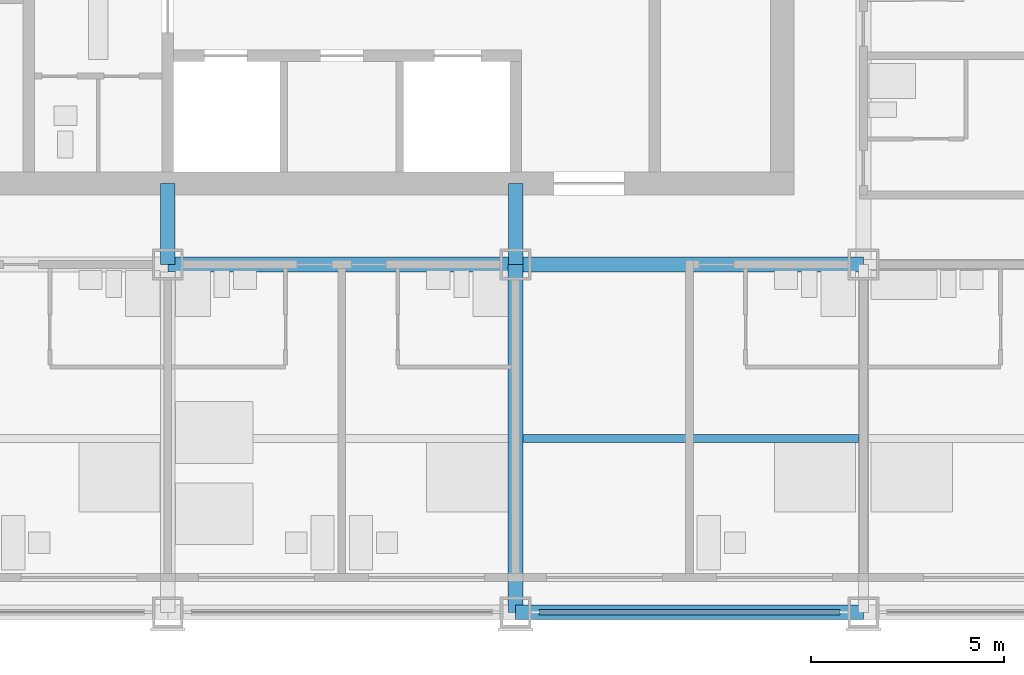
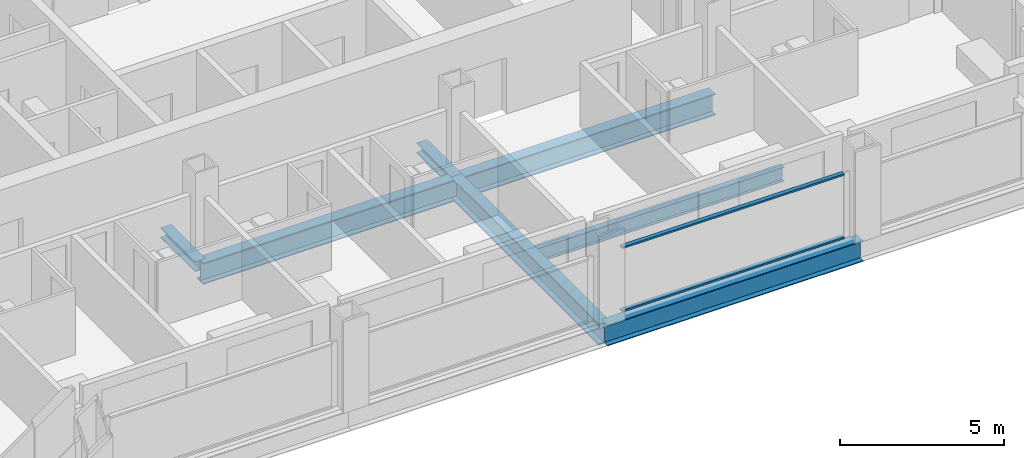
# One storey, part 3 of 14: 5 beams, 4 members, 1 element without a shape of its own.
"""IFC4 building model written with IfcOpenShell, lengths in metres."""

import ifcopenshell
import ifcopenshell.guid

model = None  # the IFC model being written
_history = None  # IfcOwnerHistory: only IFC2X3 demands one
_inside = {}  # id of a spatial element -> (the spatial element, [elements in it])
_under = {}  # id of a project, library or spatial element -> (it, [spatial elements below it])
_declared = {}  # id of a project -> (the project, [libraries it declares])
_typed = {}  # id of a type object -> (the type object, [elements of that type])
_made_of = {}  # id of a material, layer set ... -> (it, [elements and type objects made of it])


def new_model(schema):
    """Start an empty IFC model of exactly this schema.

    Asked for "IFC4X3", IfcOpenShell would pick the latest addendum, in which some entities
    have other attributes; the version numbers below select the first issue.
    IFC2X3 requires an IfcOwnerHistory on every rooted entity: one is made here for all.
    """
    global model, _history
    if schema == "IFC4X3":
        model = ifcopenshell.file(schema_version=(4, 3, 0, 0))
    else:
        model = ifcopenshell.file(schema=schema)
    _inside.clear()
    _under.clear()
    _declared.clear()
    _typed.clear()
    _made_of.clear()
    _history = None
    if model.schema == "IFC2X3":
        org = make("IfcOrganization", Name="unknown")
        user = make(
            "IfcPersonAndOrganization",
            ThePerson=make("IfcPerson", FamilyName="unknown"),
            TheOrganization=org,
        )
        app = make(
            "IfcApplication",
            ApplicationDeveloper=org,
            Version="unknown",
            ApplicationFullName="unknown",
            ApplicationIdentifier="unknown",
        )
        _history = make(
            "IfcOwnerHistory",
            OwningUser=user,
            OwningApplication=app,
            ChangeAction="ADDED",
            CreationDate=0,
        )
    return model


def make(cls, **values):
    """One entity of the class cls with the attributes given. An attribute that is None is left unset."""
    return model.create_entity(
        cls, **{name: value for name, value in values.items() if value is not None}
    )


def rooted(cls, **values):
    """An entity with a GlobalId (a new one), such as an element, a storey or a relation."""
    return make(cls, GlobalId=ifcopenshell.guid.new(), OwnerHistory=_history, **values)


def si_unit(unit_type, name, prefix=None):
    """IfcSIUnit, for example si_unit("LENGTHUNIT", "METRE", prefix="MILLI")."""
    return make("IfcSIUnit", UnitType=unit_type, Prefix=prefix, Name=name)


def assignment(units):
    """IfcUnitAssignment: the units of a project."""
    return None if units is None else make("IfcUnitAssignment", Units=units)


def point(xyz):
    """IfcCartesianPoint."""
    return None if xyz is None else make("IfcCartesianPoint", Coordinates=xyz)


def direction(xyz):
    """IfcDirection."""
    return None if xyz is None else make("IfcDirection", DirectionRatios=xyz)


def frame(location, z_axis=None, x_axis=None):
    """IfcAxis2Placement3D, a coordinate frame: its origin and axes. An axis left out is left unset."""
    return make(
        "IfcAxis2Placement3D",
        Location=point(location),
        Axis=direction(z_axis),
        RefDirection=direction(x_axis),
    )


def frame_2d(location, x_axis=None):
    """IfcAxis2Placement2D, a coordinate frame in the plane: its origin and x axis."""
    return make(
        "IfcAxis2Placement2D", Location=point(location), RefDirection=direction(x_axis)
    )


def origin():
    """The frame at (0, 0, 0) with its axes left unset."""
    return frame((0.0, 0.0, 0.0))


def origin_2d():
    """The frame at (0, 0) in the plane with its x axis left unset."""
    return frame_2d((0.0, 0.0))


def place(relative_to, where):
    """IfcLocalPlacement: puts the frame where relative to a parent placement (None: the world)."""
    return make(
        "IfcLocalPlacement", PlacementRelTo=relative_to, RelativePlacement=where
    )


def context(
    kind, dimensions, precision=None, world=None, true_north=None, identifier=None
):
    """IfcGeometricRepresentationContext, for example the 3D "Model" context."""
    return make(
        "IfcGeometricRepresentationContext",
        ContextIdentifier=identifier,
        ContextType=kind,
        CoordinateSpaceDimension=dimensions,
        Precision=precision,
        WorldCoordinateSystem=world,
        TrueNorth=true_north,
    )


def subcontext(parent, identifier, kind, view, scale=None):
    """IfcGeometricRepresentationSubContext, for example "Body" below "Model"."""
    return make(
        "IfcGeometricRepresentationSubContext",
        ContextIdentifier=identifier,
        ContextType=kind,
        ParentContext=parent,
        TargetScale=scale,
        TargetView=view,
    )


def project(units=None, contexts=None):
    """IfcProject with its units and contexts."""
    return rooted(
        "IfcProject",
        Name="project",
        RepresentationContexts=contexts,
        UnitsInContext=assignment(units),
    )


def spatial(cls, under=None, at=None, **own):
    """A site, building, storey or space (cls), placed at a placement, below another one or the project."""
    s = rooted(cls, ObjectPlacement=at, **own)
    if under is not None:
        _under.setdefault(under.id(), (under, []))[1].append(s)
    return s


def profile(cls, at=None, kind="AREA", **sizes):
    """A parametric profile (cls). Its sizes go by their IFC names, for example OverallWidth=200.0."""
    return make(cls, ProfileType=kind, Position=at, **sizes)


def rectangle(**sizes):
    """IfcRectangleProfileDef."""
    return profile("IfcRectangleProfileDef", **sizes)


def i_section(**sizes):
    """IfcIShapeProfileDef."""
    return profile("IfcIShapeProfileDef", **sizes)


def extrude(swept, where, along, depth):
    """IfcExtrudedAreaSolid: the profile swept, set in the frame where, extruded along a direction by depth."""
    return make(
        "IfcExtrudedAreaSolid",
        SweptArea=swept,
        Position=where,
        ExtrudedDirection=direction(along),
        Depth=depth,
    )


def shape(context_of_items, identifier, shape_type, items):
    """IfcShapeRepresentation: the items that make up one representation, for example the "Body"."""
    return make(
        "IfcShapeRepresentation",
        ContextOfItems=context_of_items,
        RepresentationIdentifier=identifier,
        RepresentationType=shape_type,
        Items=items,
    )


def material(Name=None, Category=None):
    """IfcMaterial."""
    return make("IfcMaterial", Name=Name, Category=Category)


def material_profile(
    of_material, cross_section, Name=None, Category=None, Priority=None
):
    """IfcMaterialProfile: a cross section and its material."""
    return make(
        "IfcMaterialProfile",
        Name=Name,
        Material=of_material,
        Profile=cross_section,
        Priority=Priority,
        Category=Category,
    )


def profile_set(profiles, Name=None, composite=None):
    """IfcMaterialProfileSet."""
    return make(
        "IfcMaterialProfileSet",
        Name=Name,
        MaterialProfiles=profiles,
        CompositeProfile=composite,
    )


def made_of(thing, what):
    """Note that an element or type object is made of a material, layer set ...; save() writes the relation."""
    if what is not None:
        _made_of.setdefault(what.id(), (what, []))[1].append(thing)
    return thing


def type_object(cls, material=None, **own):
    """A type object (cls), such as IfcWallType, which elements share."""
    return made_of(rooted(cls, **own), material)


def element(
    cls,
    number,
    at=None,
    inside=None,
    cuts=None,
    type_object=None,
    material=None,
    context=None,
    identifier="Body",
    shape_type=None,
    held_by="IfcProductDefinitionShape",
    body=None,
    shapes=None,
    **own,
):
    """One element of the class cls, such as IfcWall. Its Tag is "e" and its number.

    at: its placement. inside: the storey or other place that contains it. cuts: it is an
    opening in that element (IfcRelVoidsElement). A single representation is given by context,
    identifier, shape_type and body (its items); several are given by shapes. held_by: the class
    of the entity that holds the representations. save() writes the other relations.
    """
    e = rooted(cls, Tag="e%d" % number, ObjectPlacement=at, **own)
    if body is not None:
        shapes = [shape(context, identifier, shape_type, body)]
    if shapes is not None:
        e.Representation = make(held_by, Representations=shapes)
    if inside is not None:
        _inside.setdefault(inside.id(), (inside, []))[1].append(e)
    if cuts is not None:
        rooted(
            "IfcRelVoidsElement", RelatingBuildingElement=cuts, RelatedOpeningElement=e
        )
    if type_object is not None:
        _typed.setdefault(type_object.id(), (type_object, []))[1].append(e)
    return made_of(e, material)


def aggregate(whole, parts):
    """IfcRelAggregates: a whole, such as a stair, and the parts it consists of."""
    return rooted("IfcRelAggregates", RelatingObject=whole, RelatedObjects=parts)


def save(model, path):
    """Write the relations noted so far, then the file.

    IfcRelAggregates (storeys below a building ...), IfcRelContainedInSpatialStructure (elements
    in a storey), IfcRelDefinesByType, IfcRelAssociatesMaterial and IfcRelDeclares: one each for
    every whole, place, type object, material and project.
    """
    for whole, parts in _under.values():
        aggregate(whole, parts)
    for where, things in _inside.values():
        rooted(
            "IfcRelContainedInSpatialStructure",
            RelatedElements=things,
            RelatingStructure=where,
        )
    for kind, things in _typed.values():
        rooted("IfcRelDefinesByType", RelatedObjects=things, RelatingType=kind)
    for what, things in _made_of.values():
        rooted("IfcRelAssociatesMaterial", RelatedObjects=things, RelatingMaterial=what)
    for by, libraries in _declared.values():
        rooted("IfcRelDeclares", RelatingContext=by, RelatedDefinitions=libraries)
    model.write(path)


model = new_model("IFC4")

# Units and contexts
model_context = context("Model", 3, precision=1e-05, world=origin(), true_north=direction((0.0, 1.0)))
body_context = subcontext(model_context, "Body", "Model", "MODEL_VIEW")
ifc_project = project(units=[si_unit("LENGTHUNIT", "METRE"), si_unit("AREAUNIT", "SQUARE_METRE"), si_unit("VOLUMEUNIT", "CUBIC_METRE"), si_unit("PLANEANGLEUNIT", "RADIAN"), si_unit("MASSUNIT", "GRAM", prefix="KILO")], contexts=[model_context])

# Site, building, storey
site_placement = place(None, origin())
site = spatial("IfcSite", under=ifc_project, at=site_placement, CompositionType="ELEMENT")
building_placement = place(site_placement, origin())
building = spatial("IfcBuilding", under=site, at=building_placement, Name="Loomwork Tower", CompositionType="ELEMENT")
storey_placement = place(building_placement, frame((0.0, 0.0, 170.60009765625)))
storey = spatial("IfcBuildingStorey", under=building, at=storey_placement, Name="L46", CompositionType="ELEMENT", Elevation=170.60009765625)

# Beams
ifc_material_1 = material(Name="Steel ASTM A992", Category="steel")
ifc_material_profile_1 = material_profile(ifc_material_1, i_section(OverallWidth=0.383544921875, OverallDepth=0.794921875, WebThickness=0.02099609375, FlangeThickness=0.0380859375, at=origin_2d()), Name="W30x235")
ifc_profile_set_1 = profile_set([ifc_material_profile_1], Name="Steel ASTM A992")
beam_type_1 = type_object("IfcBeamType", Name="CORE FLANK GIRDER W30x235", PredefinedType="BEAM", material=ifc_profile_set_1)
for number, where, z_axis, x_axis, name in (
    (1, (18.0, 9.0, -0.59765625), (1.0, 0.0, 0.0), (0.0, 1.0, 0.0), "Core Flank Girder E/4-E/5 L46"),
    (2, (27.0, 9.0, -0.59765625), (1.0, 0.0, 0.0), (0.0, 1.0, 0.0), "Core Flank Girder E/5-E/6 L46"),
    (3, (27.0, 0.0, -0.59765625), (0.0, 1.0, 0.0), (-1.0, 0.0, 0.0), "Core Flank Girder D/5-E/5 L46"),
):
    element("IfcBeam", number, at=place(storey_placement, frame(where, z_axis=z_axis, x_axis=x_axis)), inside=storey, type_object=beam_type_1, Name=name, PredefinedType="BEAM", context=body_context, shape_type="SweptSolid", body=[
        extrude(i_section(OverallWidth=0.383544921875, OverallDepth=0.794921875, WebThickness=0.02099609375, FlangeThickness=0.0380859375, at=origin_2d()), origin(), (0.0, 0.0, 1.0), 9.0),
    ])

# Members
ifc_material_2 = material(Name="Steel ASTM A992", Category="steel")
ifc_material_profile_2 = material_profile(ifc_material_2, i_section(OverallWidth=0.373291015625, OverallDepth=0.373291015625, WebThickness=0.016357421875, FlangeThickness=0.026123046875, at=origin_2d()), Name="W14x132")
ifc_profile_set_2 = profile_set([ifc_material_profile_2], Name="Steel ASTM A992")
member_type_1 = type_object("IfcMemberType", Name="CORE LINK STRUT W14x132", PredefinedType="STRUT", material=ifc_profile_set_2)
for number, where, z_axis, x_axis, name in (
    (4, (27.0, 9.0, -0.38671875), (0.0, 1.0, 0.0), (-1.0, 0.0, 0.0), "Core link strut E/5-27.000,11.100 L46"),
    (5, (18.0, 9.0, -0.38671875), (0.0, 1.0, 0.0), (-1.0, 0.0, 0.0), "Core link strut E/4-18.000,11.100 L46"),
):
    element("IfcMember", number, at=place(storey_placement, frame(where, z_axis=z_axis, x_axis=x_axis)), inside=storey, type_object=member_type_1, Name=name, PredefinedType="STRUT", context=body_context, shape_type="SweptSolid", body=[
        extrude(i_section(OverallWidth=0.373291015625, OverallDepth=0.373291015625, WebThickness=0.016357421875, FlangeThickness=0.026123046875, at=origin_2d()), origin(), (0.0, 0.0, 1.0), 2.10009765625),
    ])

# Beam
ifc_material_3 = material(Name="Steel ASTM A992", Category="steel")
ifc_material_profile_3 = material_profile(ifc_material_3, i_section(OverallWidth=0.2109375, OverallDepth=0.53857421875, WebThickness=0.011474609375, FlangeThickness=0.018798828125, at=origin_2d()), Name="W21x73")
ifc_profile_set_3 = profile_set([ifc_material_profile_3], Name="Steel ASTM A992")
beam_type_2 = type_object("IfcBeamType", Name="FLOOR JOIST W21x73", PredefinedType="JOIST", material=ifc_profile_set_3)
beam_1_placement = place(storey_placement, frame((27.19091796875, 4.5, -0.46923828125), z_axis=(1.0, 0.0, 0.0), x_axis=(0.0, 1.0, 0.0)))
element("IfcBeam", 6, at=beam_1_placement, inside=storey, type_object=beam_type_2, Name="Floor Joist 27.000,4.500-36.000,4.500 L46", PredefinedType="JOIST", context=body_context, shape_type="SweptSolid", body=[
    extrude(i_section(OverallWidth=0.2109375, OverallDepth=0.53857421875, WebThickness=0.011474609375, FlangeThickness=0.018798828125, at=origin_2d()), origin(), (0.0, 0.0, 1.0), 8.676025390625),
])

# Curtain wall, members
ifc_material_4 = material(Name="Aluminium curtain wall frame", Category="aluminium")
curtain_wall_type = type_object("IfcCurtainWallType", Name="Outer skin glazing hotel", PredefinedType="NOTDEFINED", material=ifc_material_4)
curtain_wall_placement = place(storey_placement, origin())
curtain_wall = element("IfcCurtainWall", 7, at=curtain_wall_placement, inside=storey, type_object=curtain_wall_type, Name="Outer skin glazing hotel cw/S-27", PredefinedType="NOTDEFINED")
ifc_material_5 = material(Name="Aluminium curtain wall frame", Category="aluminium")
ifc_material_profile_4 = material_profile(ifc_material_5, rectangle(XDim=0.14990234375, YDim=0.06494140625, at=origin_2d()), Name="AL 65x150")
ifc_profile_set_4 = profile_set([ifc_material_profile_4], Name="Aluminium curtain wall frame")
member_type_2 = type_object("IfcMemberType", Name="Outer skin glazing hotel transom", PredefinedType="USERDEFINED", material=ifc_profile_set_4)
member_1_placement = place(storey_placement, frame((27.60009765625, 0.0, 0.032470703125), z_axis=(1.0, 0.0, 0.0), x_axis=(0.0, 1.0, 0.0)))
member_1 = element("IfcMember", 8, at=member_1_placement, type_object=member_type_2, Name="CW1 transom 1.1", ObjectType="TRANSOM", PredefinedType="USERDEFINED", context=body_context, shape_type="SweptSolid", body=[
    extrude(rectangle(XDim=0.14990234375, YDim=0.06494140625, at=origin_2d()), origin(), (0.0, 0.0, 1.0), 7.7998046875),
])
member_2_placement = place(storey_placement, frame((27.60009765625, 0.0, 2.3876953125), z_axis=(1.0, 0.0, 0.0), x_axis=(0.0, 1.0, 0.0)))
member_2 = element("IfcMember", 9, at=member_2_placement, type_object=member_type_2, Name="CW1 transom 1.2", ObjectType="TRANSOM", PredefinedType="USERDEFINED", context=body_context, shape_type="SweptSolid", body=[
    extrude(rectangle(XDim=0.14990234375, YDim=0.06494140625, at=origin_2d()), origin(), (0.0, 0.0, 1.0), 7.7998046875),
])
aggregate(curtain_wall, [member_1, member_2])

# Beam
ifc_material_6 = material(Name="Steel ASTM A992", Category="steel")
ifc_material_profile_5 = material_profile(ifc_material_6, i_section(OverallWidth=0.381103515625, OverallDepth=0.77978515625, WebThickness=0.01806640625, FlangeThickness=0.0302734375, at=origin_2d()), Name="W30x191")
ifc_profile_set_5 = profile_set([ifc_material_profile_5], Name="Steel ASTM A992")
beam_type_3 = type_object("IfcBeamType", Name="SPANDREL GIRDER W30x191", PredefinedType="SPANDREL", material=ifc_profile_set_5)
beam_2_placement = place(storey_placement, frame((27.0, 0.0, -0.590087890625), z_axis=(1.0, 0.0, 0.0), x_axis=(0.0, 1.0, 0.0)))
element("IfcBeam", 10, at=beam_2_placement, inside=storey, type_object=beam_type_3, Name="Spandrel Girder D/5-D/6 L46", PredefinedType="SPANDREL", context=body_context, shape_type="SweptSolid", body=[
    extrude(i_section(OverallWidth=0.381103515625, OverallDepth=0.77978515625, WebThickness=0.01806640625, FlangeThickness=0.0302734375, at=origin_2d()), origin(), (0.0, 0.0, 1.0), 9.0),
])

save(model, "model.ifc")
